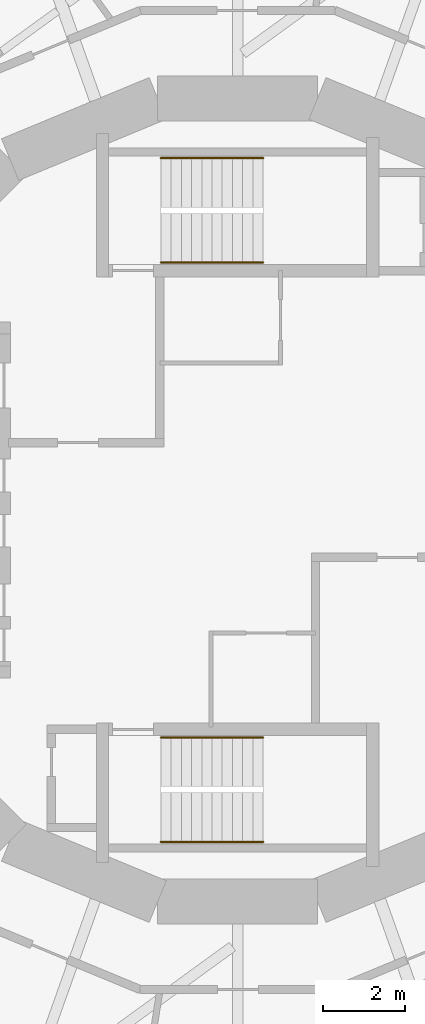
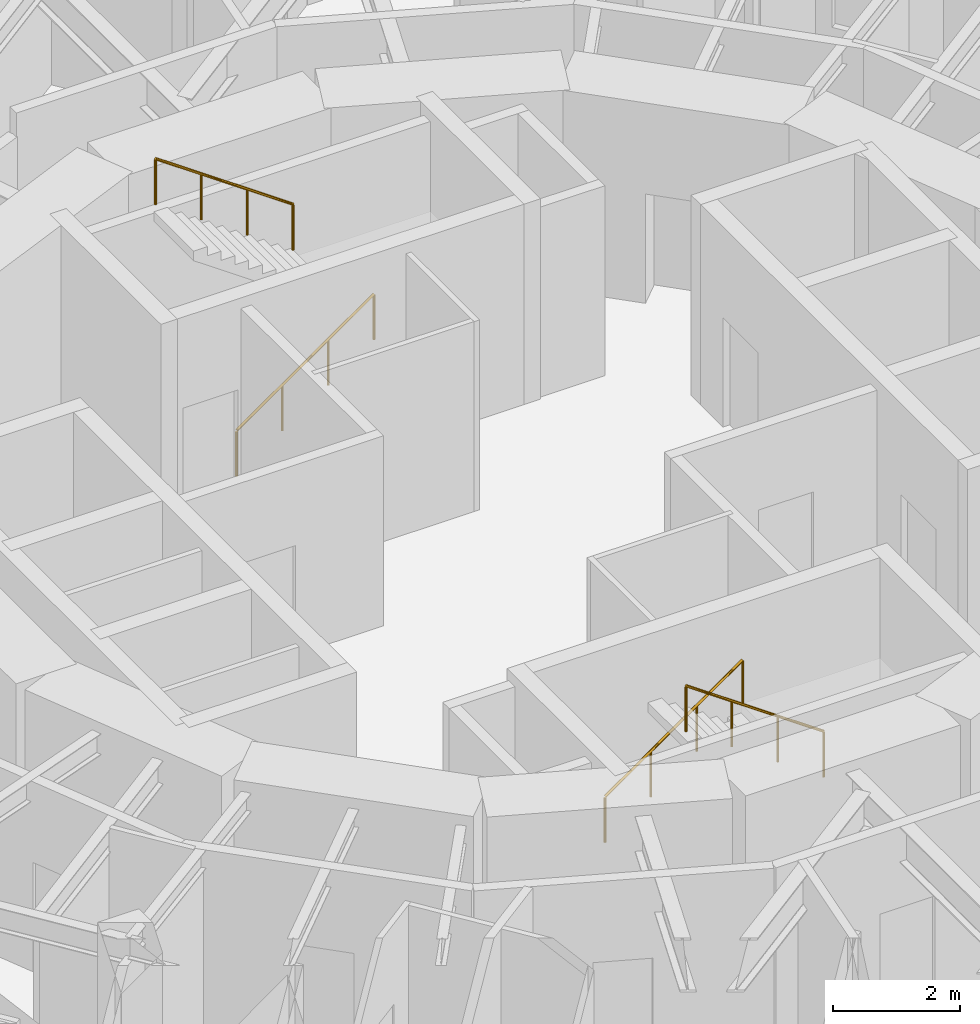
# One storey, part 9 of 9: 4 railings.
"""IFC4 building model written with IfcOpenShell, lengths in metres."""

from ifc_helpers import new_model, si_unit, direction, frame, origin, origin_2d, place, context, subcontext, project, spatial, circle, extrude, material, type_object, element, save


model = new_model("IFC4")

# Units and contexts
model_context = context("Model", 3, precision=1e-05, world=origin(), true_north=direction((0.0, 1.0)))
body_context = subcontext(model_context, "Body", "Model", "MODEL_VIEW")
ifc_project = project(units=[si_unit("LENGTHUNIT", "METRE"), si_unit("AREAUNIT", "SQUARE_METRE"), si_unit("VOLUMEUNIT", "CUBIC_METRE"), si_unit("PLANEANGLEUNIT", "RADIAN"), si_unit("MASSUNIT", "GRAM", prefix="KILO")], contexts=[model_context])

# Site, building, storey
site_placement = place(None, origin())
site = spatial("IfcSite", under=ifc_project, at=site_placement, CompositionType="ELEMENT")
building_placement = place(site_placement, origin())
building = spatial("IfcBuilding", under=site, at=building_placement, Name="Nakasero Lantern House", CompositionType="ELEMENT")
storey_placement = place(building_placement, frame((0.0, 0.0, 286.85009765625)))
storey = spatial("IfcBuildingStorey", under=building, at=storey_placement, Name="L70", CompositionType="ELEMENT", Elevation=286.85009765625)

# Railings
ifc_material = material(Name="Stainless steel 316", Category="steel")
railing_type = type_object("IfcRailingType", Name="Stair handrail 900", PredefinedType="HANDRAIL", material=ifc_material)
railing_1_placement = place(storey_placement, frame((-1.875, 5.800048828125, 0.1748046875)))
element("IfcRailing", 1, at=railing_1_placement, inside=storey, type_object=railing_type, Name="Handrail ST1 L70 flight 1", PredefinedType="HANDRAIL", context=body_context, shape_type="SweptSolid", body=[
    extrude(circle(Radius=0.02392578125, at=origin_2d()), frame((0.0, 0.0, 0.8759765625), z_axis=(0.819231920519, 0.0, 0.573462344363), x_axis=(0.0, 1.0, 0.0)), (0.0, 0.0, 1.0), 3.0517578125),
    extrude(circle(Radius=0.02099609375, at=origin_2d()), origin(), (0.0, 0.0, 1.0), 0.851806640625),
    extrude(circle(Radius=0.02099609375, at=origin_2d()), frame((0.833251953125, 0.0, 0.583251953125)), (0.0, 0.0, 1.0), 0.851806640625),
    extrude(circle(Radius=0.02099609375, at=origin_2d()), frame((1.666748046875, 0.0, 1.166748046875)), (0.0, 0.0, 1.0), 0.851806640625),
    extrude(circle(Radius=0.02099609375, at=origin_2d()), frame((2.5, 0.0, 1.75)), (0.0, 0.0, 1.0), 0.851806640625),
])
railing_2_placement = place(storey_placement, frame((0.625, 8.35009765625, 2.099853515625)))
element("IfcRailing", 2, at=railing_2_placement, inside=storey, type_object=railing_type, Name="Handrail ST1 L70 flight 2", PredefinedType="HANDRAIL", context=body_context, shape_type="SweptSolid", body=[
    extrude(circle(Radius=0.02392578125, at=origin_2d()), frame((0.0, 0.0, 0.8759765625), z_axis=(-0.819231920519, 0.0, 0.573462344363), x_axis=(0.0, -1.0, 0.0)), (0.0, 0.0, 1.0), 3.0517578125),
    extrude(circle(Radius=0.02099609375, at=origin_2d()), origin(), (0.0, 0.0, 1.0), 0.851806640625),
    extrude(circle(Radius=0.02099609375, at=origin_2d()), frame((-0.833251953125, 0.0, 0.583251953125)), (0.0, 0.0, 1.0), 0.851806640625),
    extrude(circle(Radius=0.02099609375, at=origin_2d()), frame((-1.666748046875, 0.0, 1.166748046875)), (0.0, 0.0, 1.0), 0.851806640625),
    extrude(circle(Radius=0.02099609375, at=origin_2d()), frame((-2.5, 0.0, 1.75)), (0.0, 0.0, 1.0), 0.851806640625),
])
railing_3_placement = place(storey_placement, frame((-1.875, -5.800048828125, 0.1748046875)))
element("IfcRailing", 3, at=railing_3_placement, inside=storey, type_object=railing_type, Name="Handrail ST2 L70 flight 1", PredefinedType="HANDRAIL", context=body_context, shape_type="SweptSolid", body=[
    extrude(circle(Radius=0.02392578125, at=origin_2d()), frame((0.0, 0.0, 0.8759765625), z_axis=(0.819231920519, 0.0, 0.573462344363), x_axis=(0.0, 1.0, 0.0)), (0.0, 0.0, 1.0), 3.0517578125),
    extrude(circle(Radius=0.02099609375, at=origin_2d()), origin(), (0.0, 0.0, 1.0), 0.851806640625),
    extrude(circle(Radius=0.02099609375, at=origin_2d()), frame((0.833251953125, 0.0, 0.583251953125)), (0.0, 0.0, 1.0), 0.851806640625),
    extrude(circle(Radius=0.02099609375, at=origin_2d()), frame((1.666748046875, 0.0, 1.166748046875)), (0.0, 0.0, 1.0), 0.851806640625),
    extrude(circle(Radius=0.02099609375, at=origin_2d()), frame((2.5, 0.0, 1.75)), (0.0, 0.0, 1.0), 0.851806640625),
])
railing_4_placement = place(storey_placement, frame((0.625, -8.35009765625, 2.099853515625)))
element("IfcRailing", 4, at=railing_4_placement, inside=storey, type_object=railing_type, Name="Handrail ST2 L70 flight 2", PredefinedType="HANDRAIL", context=body_context, shape_type="SweptSolid", body=[
    extrude(circle(Radius=0.02392578125, at=origin_2d()), frame((0.0, 0.0, 0.8759765625), z_axis=(-0.819231920519, 0.0, 0.573462344363), x_axis=(0.0, -1.0, 0.0)), (0.0, 0.0, 1.0), 3.0517578125),
    extrude(circle(Radius=0.02099609375, at=origin_2d()), origin(), (0.0, 0.0, 1.0), 0.851806640625),
    extrude(circle(Radius=0.02099609375, at=origin_2d()), frame((-0.833251953125, 0.0, 0.583251953125)), (0.0, 0.0, 1.0), 0.851806640625),
    extrude(circle(Radius=0.02099609375, at=origin_2d()), frame((-1.666748046875, 0.0, 1.166748046875)), (0.0, 0.0, 1.0), 0.851806640625),
    extrude(circle(Radius=0.02099609375, at=origin_2d()), frame((-2.5, 0.0, 1.75)), (0.0, 0.0, 1.0), 0.851806640625),
])

save(model, "model.ifc")
